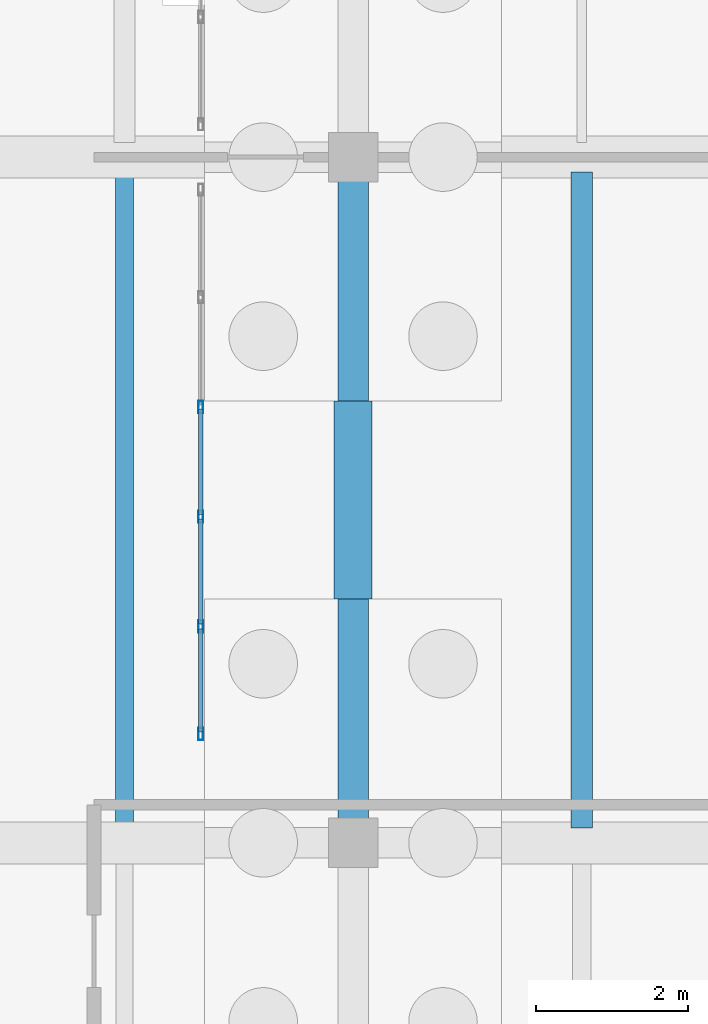
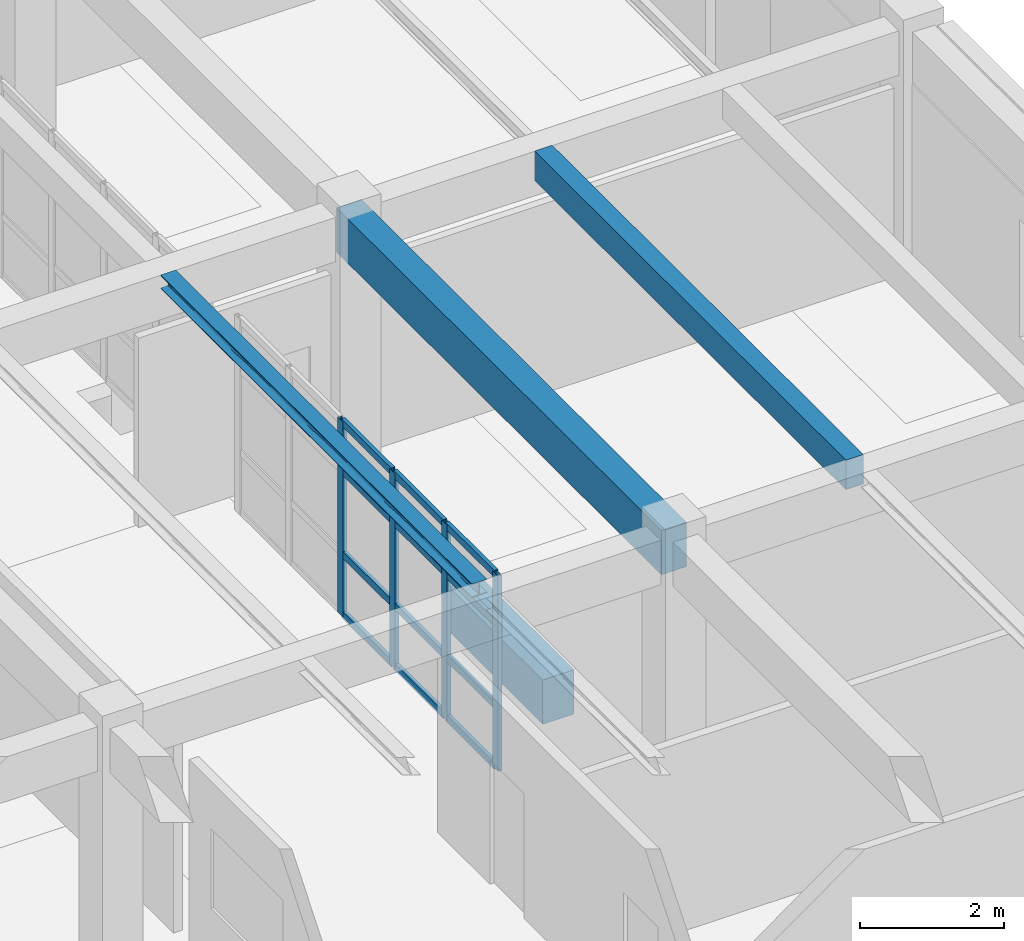
# One storey, part 114 of 186: 16 members, 4 beams, 1 element without a shape of its own.
"""IFC4 building model written with IfcOpenShell, lengths in metres."""

from ifc_helpers import new_model, si_unit, direction, frame, origin, origin_2d, place, context, subcontext, project, spatial, rectangle, hollow_rectangle, i_section, extrude, material, layer, layer_set, material_profile, profile_set, type_object, element, aggregate, save


model = new_model("IFC4")

# Units and contexts
model_context = context("Model", 3, precision=1e-05, world=origin(), true_north=direction((0.0, 1.0)))
body_context = subcontext(model_context, "Body", "Model", "MODEL_VIEW")
ifc_project = project(units=[si_unit("LENGTHUNIT", "METRE"), si_unit("AREAUNIT", "SQUARE_METRE"), si_unit("VOLUMEUNIT", "CUBIC_METRE"), si_unit("PLANEANGLEUNIT", "RADIAN"), si_unit("MASSUNIT", "GRAM", prefix="KILO")], contexts=[model_context])

# Site, building, storey
site_placement = place(None, origin())
site = spatial("IfcSite", under=ifc_project, at=site_placement, CompositionType="ELEMENT")
building_placement = place(site_placement, origin())
building = spatial("IfcBuilding", under=site, at=building_placement, Name="Ornek Quay Market", CompositionType="ELEMENT")
storey_placement = place(building_placement, origin())
storey = spatial("IfcBuildingStorey", under=building, at=storey_placement, Name="L00", CompositionType="ELEMENT", Elevation=0.0)

# Beams
ifc_material_1 = material(Name="Concrete C35/45", Category="concrete")
ifc_material_profile_1 = material_profile(ifc_material_1, rectangle(XDim=0.39990234375, YDim=0.75, at=origin_2d()), Name="RC 400x750", Category="concrete")
ifc_profile_set_1 = profile_set([ifc_material_profile_1], Name="Concrete C35/45")
beam_type_1 = type_object("IfcBeamType", Name="BM-CS-400x750", PredefinedType="BEAM", material=ifc_profile_set_1)
beam_1_placement = place(storey_placement, frame((171.0, 29.0, 3.875), z_axis=(0.0, 1.0, 0.0), x_axis=(-1.0, 0.0, 0.0)))
element("IfcBeam", 1, at=beam_1_placement, inside=storey, type_object=beam_type_1, Name="Primary beam B-CS1-024", PredefinedType="BEAM", context=body_context, shape_type="SweptSolid", body=[
    extrude(rectangle(XDim=0.39990234375, YDim=0.75, at=origin_2d()), origin(), (0.0, 0.0, 1.0), 9.0),
])
ifc_material_profile_2 = material_profile(ifc_material_1, rectangle(XDim=0.5, YDim=0.75, at=origin_2d()), Name="RC 500x750", Category="concrete")
ifc_profile_set_2 = profile_set([ifc_material_profile_2], Name="Concrete C35/45")
beam_type_2 = type_object("IfcBeamType", Name="BM-GB-500x750", PredefinedType="BEAM", material=ifc_profile_set_2)
beam_2_placement = place(storey_placement, frame((171.0, 32.199951171875, -0.574951171875), z_axis=(0.0, 1.0, 0.0), x_axis=(-1.0, 0.0, 0.0)))
element("IfcBeam", 2, at=beam_2_placement, inside=storey, type_object=beam_type_2, Name="Ground tie beam GB-412", PredefinedType="BEAM", context=body_context, shape_type="SweptSolid", body=[
    extrude(rectangle(XDim=0.5, YDim=0.75, at=origin_2d()), origin(), (0.0, 0.0, 1.0), 2.60009765625),
])
ifc_material_profile_3 = material_profile(ifc_material_1, rectangle(XDim=0.280029296875, YDim=0.5, at=origin_2d()), Name="RC 280x500", Category="concrete")
ifc_profile_set_3 = profile_set([ifc_material_profile_3], Name="Concrete C35/45")
beam_type_3 = type_object("IfcBeamType", Name="BM-SEC-280x500", PredefinedType="JOIST", material=ifc_profile_set_3)
beam_3_placement = place(storey_placement, frame((174.0, 29.19189453125, 4.0), z_axis=(0.0, 1.0, 0.0), x_axis=(-1.0, 0.0, 0.0)))
element("IfcBeam", 3, at=beam_3_placement, inside=storey, type_object=beam_type_3, Name="Secondary joist B-SC2-083", PredefinedType="JOIST", context=body_context, shape_type="SweptSolid", body=[
    extrude(rectangle(XDim=0.280029296875, YDim=0.5, at=origin_2d()), origin(), (0.0, 0.0, 1.0), 8.6162109375),
])
ifc_material_2 = material(Name="Steel S355", Category="steel")
ifc_material_profile_4 = material_profile(ifc_material_2, i_section(OverallWidth=0.239990234375, OverallDepth=0.22998046875, WebThickness=0.007568359375, FlangeThickness=0.011962890625, FilletRadius=0.02099609375, at=origin_2d()), Name="HEA 240", Category="steel")
ifc_profile_set_4 = profile_set([ifc_material_profile_4], Name="Steel S355")
beam_type_4 = type_object("IfcBeamType", Name="BM-STL-HEA240", PredefinedType="BEAM", material=ifc_profile_set_4)
beam_4_placement = place(storey_placement, frame((168.0, 29.19189453125, 4.135009765625), z_axis=(0.0, 1.0, 0.0), x_axis=(-1.0, 0.0, 0.0)))
element("IfcBeam", 4, at=beam_4_placement, inside=storey, type_object=beam_type_4, Name="Secondary joist SB-14-018", PredefinedType="BEAM", context=body_context, shape_type="SweptSolid", body=[
    extrude(i_section(OverallWidth=0.239990234375, OverallDepth=0.22998046875, WebThickness=0.007568359375, FlangeThickness=0.011962890625, FilletRadius=0.02099609375, at=origin_2d()), origin(), (0.0, 0.0, 1.0), 8.6162109375),
])

# Curtain wall, members
ifc_material_3 = material(Name="Anodised bronze aluminium and triple low-e glass", Category="aluminium")
ifc_layer = layer(ifc_material_3, 0.139892578125, Name="Anodised bronze aluminium and triple low-e glass", Category="aluminium")
ifc_layer_set = layer_set([ifc_layer], Name="Anodised bronze aluminium and triple low-e glass")
curtain_wall_type = type_object("IfcCurtainWallType", Name="CW-GALLERY-INT", PredefinedType="USERDEFINED", material=ifc_layer_set)
curtain_wall_placement = place(storey_placement, origin())
curtain_wall = element("IfcCurtainWall", 5, at=curtain_wall_placement, inside=storey, type_object=curtain_wall_type, Name="Curtain wall CW-159", ObjectType="CURTAIN WALL", PredefinedType="USERDEFINED")
ifc_material_4 = material(Name="Anodised aluminium 6063-T6", Category="aluminium")
ifc_material_profile_5 = material_profile(ifc_material_4, hollow_rectangle(XDim=0.06005859375, YDim=0.159912109375, WallThickness=0.00390625, at=origin_2d()), Name="CW-MUL-60x160", Category="aluminium")
ifc_profile_set_5 = profile_set([ifc_material_profile_5], Name="Anodised aluminium 6063-T6")
member_type_1 = type_object("IfcMemberType", Name="CW-MUL-60x160", PredefinedType="MULLION", material=ifc_profile_set_5)
member_1_placement = place(storey_placement, frame((169.0, 30.429931640625, 0.0), z_axis=(0.0, 0.0, 1.0), x_axis=(-1.0, 0.0, 0.0)))
member_1 = element("IfcMember", 6, at=member_1_placement, type_object=member_type_1, Name="CW-159 mullion 1", PredefinedType="MULLION", context=body_context, shape_type="SweptSolid", body=[
    extrude(hollow_rectangle(XDim=0.06005859375, YDim=0.159912109375, WallThickness=0.00390625, at=origin_2d()), origin(), (0.0, 0.0, 1.0), 3.300048828125),
])
member_2_placement = place(storey_placement, frame((169.0, 31.840087890625, 0.0), z_axis=(0.0, 0.0, 1.0), x_axis=(-1.0, 0.0, 0.0)))
member_2 = element("IfcMember", 7, at=member_2_placement, type_object=member_type_1, Name="CW-159 mullion 2", PredefinedType="MULLION", context=body_context, shape_type="SweptSolid", body=[
    extrude(hollow_rectangle(XDim=0.06005859375, YDim=0.159912109375, WallThickness=0.00390625, at=origin_2d()), origin(), (0.0, 0.0, 1.0), 3.300048828125),
])
member_3_placement = place(storey_placement, frame((169.0, 33.280029296875, 0.0), z_axis=(0.0, 0.0, 1.0), x_axis=(-1.0, 0.0, 0.0)))
member_3 = element("IfcMember", 8, at=member_3_placement, type_object=member_type_1, Name="CW-159 mullion 3", PredefinedType="MULLION", context=body_context, shape_type="SweptSolid", body=[
    extrude(hollow_rectangle(XDim=0.06005859375, YDim=0.159912109375, WallThickness=0.00390625, at=origin_2d()), origin(), (0.0, 0.0, 1.0), 3.300048828125),
])
member_4_placement = place(storey_placement, frame((169.0, 34.719970703125, 0.0), z_axis=(0.0, 0.0, 1.0), x_axis=(-1.0, 0.0, 0.0)))
member_4 = element("IfcMember", 9, at=member_4_placement, type_object=member_type_1, Name="CW-159 mullion 4", PredefinedType="MULLION", context=body_context, shape_type="SweptSolid", body=[
    extrude(hollow_rectangle(XDim=0.06005859375, YDim=0.159912109375, WallThickness=0.00390625, at=origin_2d()), origin(), (0.0, 0.0, 1.0), 3.300048828125),
])
ifc_material_profile_6 = material_profile(ifc_material_4, hollow_rectangle(XDim=0.06005859375, YDim=0.1201171875, WallThickness=0.00390625, at=origin_2d()), Name="CW-TRN-60x120", Category="aluminium")
ifc_profile_set_6 = profile_set([ifc_material_profile_6], Name="Anodised aluminium 6063-T6")
member_type_2 = type_object("IfcMemberType", Name="CW-TRN-60x120", PredefinedType="USERDEFINED", material=ifc_profile_set_6)
member_5_placement = place(storey_placement, frame((169.0, 30.4599609375, 0.030029296875), z_axis=(0.0, 1.0, 0.0), x_axis=(-1.0, 0.0, 0.0)))
member_5 = element("IfcMember", 10, at=member_5_placement, type_object=member_type_2, Name="CW-159 transom 1.1", ObjectType="TRANSOM", PredefinedType="USERDEFINED", context=body_context, shape_type="SweptSolid", body=[
    extrude(hollow_rectangle(XDim=0.06005859375, YDim=0.1201171875, WallThickness=0.00390625, at=origin_2d()), origin(), (0.0, 0.0, 1.0), 1.35009765625),
])
member_6_placement = place(storey_placement, frame((169.0, 30.4599609375, 1.050048828125), z_axis=(0.0, 1.0, 0.0), x_axis=(-1.0, 0.0, 0.0)))
member_6 = element("IfcMember", 11, at=member_6_placement, type_object=member_type_2, Name="CW-159 transom 1.2", ObjectType="TRANSOM", PredefinedType="USERDEFINED", context=body_context, shape_type="SweptSolid", body=[
    extrude(hollow_rectangle(XDim=0.06005859375, YDim=0.1201171875, WallThickness=0.00390625, at=origin_2d()), origin(), (0.0, 0.0, 1.0), 1.35009765625),
])
member_7_placement = place(storey_placement, frame((169.0, 30.4599609375, 2.449951171875), z_axis=(0.0, 1.0, 0.0), x_axis=(-1.0, 0.0, 0.0)))
member_7 = element("IfcMember", 12, at=member_7_placement, type_object=member_type_2, Name="CW-159 transom 1.3", ObjectType="TRANSOM", PredefinedType="USERDEFINED", context=body_context, shape_type="SweptSolid", body=[
    extrude(hollow_rectangle(XDim=0.06005859375, YDim=0.1201171875, WallThickness=0.00390625, at=origin_2d()), origin(), (0.0, 0.0, 1.0), 1.35009765625),
])
member_8_placement = place(storey_placement, frame((169.0, 30.4599609375, 3.27001953125), z_axis=(0.0, 1.0, 0.0), x_axis=(-1.0, 0.0, 0.0)))
member_8 = element("IfcMember", 13, at=member_8_placement, type_object=member_type_2, Name="CW-159 transom 1.4", ObjectType="TRANSOM", PredefinedType="USERDEFINED", context=body_context, shape_type="SweptSolid", body=[
    extrude(hollow_rectangle(XDim=0.06005859375, YDim=0.1201171875, WallThickness=0.00390625, at=origin_2d()), origin(), (0.0, 0.0, 1.0), 1.35009765625),
])
member_9_placement = place(storey_placement, frame((169.0, 31.8701171875, 0.030029296875), z_axis=(0.0, 1.0, 0.0), x_axis=(-1.0, 0.0, 0.0)))
member_9 = element("IfcMember", 14, at=member_9_placement, type_object=member_type_2, Name="CW-159 transom 2.1", ObjectType="TRANSOM", PredefinedType="USERDEFINED", context=body_context, shape_type="SweptSolid", body=[
    extrude(hollow_rectangle(XDim=0.06005859375, YDim=0.1201171875, WallThickness=0.00390625, at=origin_2d()), origin(), (0.0, 0.0, 1.0), 1.3798828125),
])
member_10_placement = place(storey_placement, frame((169.0, 31.8701171875, 1.050048828125), z_axis=(0.0, 1.0, 0.0), x_axis=(-1.0, 0.0, 0.0)))
member_10 = element("IfcMember", 15, at=member_10_placement, type_object=member_type_2, Name="CW-159 transom 2.2", ObjectType="TRANSOM", PredefinedType="USERDEFINED", context=body_context, shape_type="SweptSolid", body=[
    extrude(hollow_rectangle(XDim=0.06005859375, YDim=0.1201171875, WallThickness=0.00390625, at=origin_2d()), origin(), (0.0, 0.0, 1.0), 1.3798828125),
])
member_11_placement = place(storey_placement, frame((169.0, 31.8701171875, 2.449951171875), z_axis=(0.0, 1.0, 0.0), x_axis=(-1.0, 0.0, 0.0)))
member_11 = element("IfcMember", 16, at=member_11_placement, type_object=member_type_2, Name="CW-159 transom 2.3", ObjectType="TRANSOM", PredefinedType="USERDEFINED", context=body_context, shape_type="SweptSolid", body=[
    extrude(hollow_rectangle(XDim=0.06005859375, YDim=0.1201171875, WallThickness=0.00390625, at=origin_2d()), origin(), (0.0, 0.0, 1.0), 1.3798828125),
])
member_12_placement = place(storey_placement, frame((169.0, 31.8701171875, 3.27001953125), z_axis=(0.0, 1.0, 0.0), x_axis=(-1.0, 0.0, 0.0)))
member_12 = element("IfcMember", 17, at=member_12_placement, type_object=member_type_2, Name="CW-159 transom 2.4", ObjectType="TRANSOM", PredefinedType="USERDEFINED", context=body_context, shape_type="SweptSolid", body=[
    extrude(hollow_rectangle(XDim=0.06005859375, YDim=0.1201171875, WallThickness=0.00390625, at=origin_2d()), origin(), (0.0, 0.0, 1.0), 1.3798828125),
])
member_13_placement = place(storey_placement, frame((169.0, 33.31005859375, 0.030029296875), z_axis=(0.0, 1.0, 0.0), x_axis=(-1.0, 0.0, 0.0)))
member_13 = element("IfcMember", 18, at=member_13_placement, type_object=member_type_2, Name="CW-159 transom 3.1", ObjectType="TRANSOM", PredefinedType="USERDEFINED", context=body_context, shape_type="SweptSolid", body=[
    extrude(hollow_rectangle(XDim=0.06005859375, YDim=0.1201171875, WallThickness=0.00390625, at=origin_2d()), origin(), (0.0, 0.0, 1.0), 1.3798828125),
])
member_14_placement = place(storey_placement, frame((169.0, 33.31005859375, 1.050048828125), z_axis=(0.0, 1.0, 0.0), x_axis=(-1.0, 0.0, 0.0)))
member_14 = element("IfcMember", 19, at=member_14_placement, type_object=member_type_2, Name="CW-159 transom 3.2", ObjectType="TRANSOM", PredefinedType="USERDEFINED", context=body_context, shape_type="SweptSolid", body=[
    extrude(hollow_rectangle(XDim=0.06005859375, YDim=0.1201171875, WallThickness=0.00390625, at=origin_2d()), origin(), (0.0, 0.0, 1.0), 1.3798828125),
])
member_15_placement = place(storey_placement, frame((169.0, 33.31005859375, 2.449951171875), z_axis=(0.0, 1.0, 0.0), x_axis=(-1.0, 0.0, 0.0)))
member_15 = element("IfcMember", 20, at=member_15_placement, type_object=member_type_2, Name="CW-159 transom 3.3", ObjectType="TRANSOM", PredefinedType="USERDEFINED", context=body_context, shape_type="SweptSolid", body=[
    extrude(hollow_rectangle(XDim=0.06005859375, YDim=0.1201171875, WallThickness=0.00390625, at=origin_2d()), origin(), (0.0, 0.0, 1.0), 1.3798828125),
])
member_16_placement = place(storey_placement, frame((169.0, 33.31005859375, 3.27001953125), z_axis=(0.0, 1.0, 0.0), x_axis=(-1.0, 0.0, 0.0)))
member_16 = element("IfcMember", 21, at=member_16_placement, type_object=member_type_2, Name="CW-159 transom 3.4", ObjectType="TRANSOM", PredefinedType="USERDEFINED", context=body_context, shape_type="SweptSolid", body=[
    extrude(hollow_rectangle(XDim=0.06005859375, YDim=0.1201171875, WallThickness=0.00390625, at=origin_2d()), origin(), (0.0, 0.0, 1.0), 1.3798828125),
])
aggregate(curtain_wall, [member_1, member_2, member_3, member_4, member_5, member_6, member_7, member_8, member_9, member_10, member_11, member_12, member_13, member_14, member_15, member_16])

save(model, "model.ifc")
